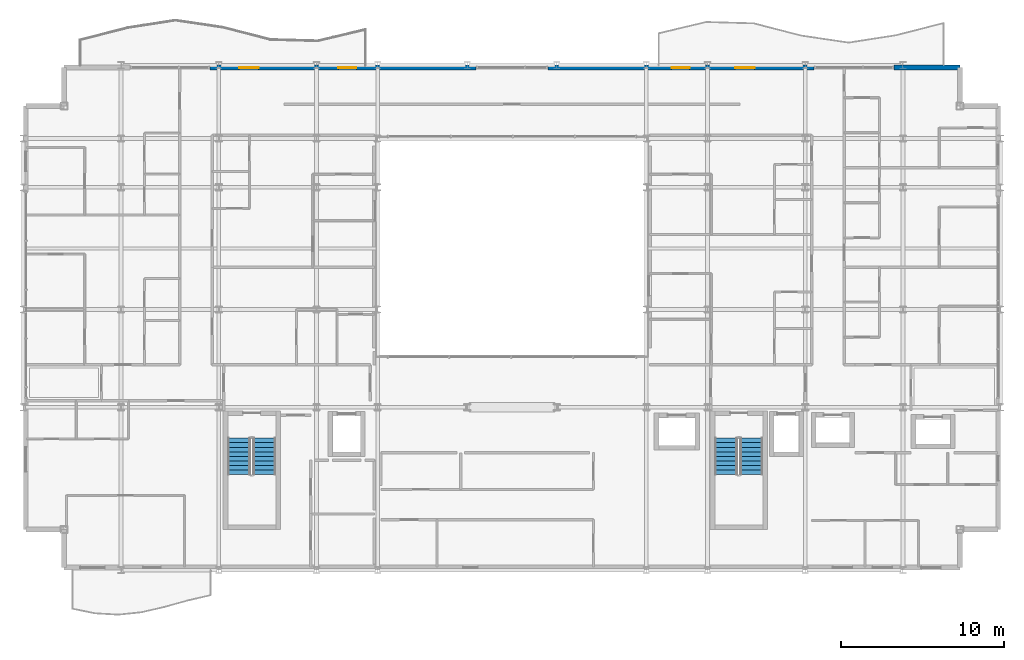
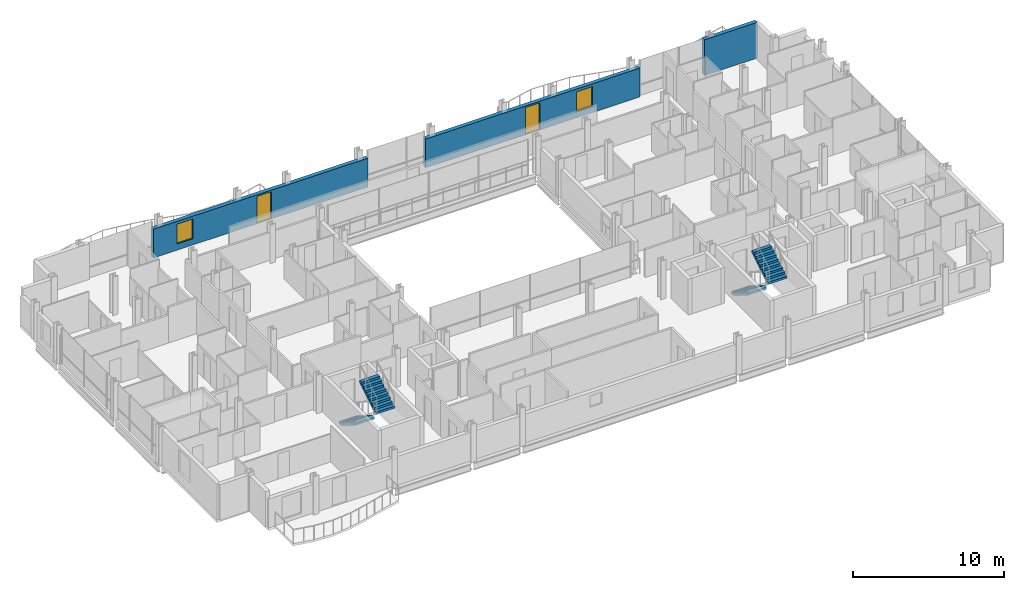
# One storey, part 37 of 40: 4 stair flights, 3 walls, 2 doors, 2 windows, 4 openings, 2 elements without a shape of their own.
"""IFC4 building model written with IfcOpenShell, lengths in metres."""

from ifc_helpers import new_model, si_unit, direction, frame, frame_2d, origin, place, context, subcontext, project, spatial, polyline, rectangle, outline, extrude, material, layer, layer_set, type_object, element, fill, aggregate, save


model = new_model("IFC4")

# Units and contexts
model_context = context("Model", 3, precision=1e-05, world=origin(), true_north=direction((0.0, 1.0)))
body_context = subcontext(model_context, "Body", "Model", "MODEL_VIEW")
ifc_project = project(units=[si_unit("LENGTHUNIT", "METRE"), si_unit("AREAUNIT", "SQUARE_METRE"), si_unit("VOLUMEUNIT", "CUBIC_METRE"), si_unit("PLANEANGLEUNIT", "RADIAN"), si_unit("MASSUNIT", "GRAM", prefix="KILO")], contexts=[model_context])

# Site, building, storey
site_placement = place(None, origin())
site = spatial("IfcSite", under=ifc_project, at=site_placement, CompositionType="ELEMENT")
building_placement = place(site_placement, origin())
building = spatial("IfcBuilding", under=site, at=building_placement, Name="Brevholm Reach", CompositionType="ELEMENT")
storey_placement = place(building_placement, frame((0.0, 0.0, 119.0)))
storey = spatial("IfcBuildingStorey", under=building, at=storey_placement, Name="L35", CompositionType="ELEMENT", Elevation=119.0)

# Wall
ifc_material_1 = material(Name="Concrete C40/50", Category="concrete")
ifc_layer_1 = layer(ifc_material_1, 0.300048828125)
ifc_layer_set_1 = layer_set([ifc_layer_1], Name="Concrete C40/50")
wall_type = type_object("IfcWallType", Name="WAL-EXT-300", PredefinedType="STANDARD", material=ifc_layer_set_1)
wall_1_placement = place(storey_placement, frame((53.449951171875, 30.85009765625, 0.0), z_axis=(0.0, 0.0, 1.0), x_axis=(1.0, 0.0, 0.0)))
element("IfcWall", 1, at=wall_1_placement, inside=storey, type_object=wall_type, Name="L35 Facade Wall WAL-L35-NP-E0", PredefinedType="STANDARD", context=body_context, shape_type="SweptSolid", body=[
    extrude(rectangle(XDim=4.050048828125, YDim=0.300048828125, at=frame_2d((2.02490234375, 0.0))), origin(), (0.0, 0.0, 1.0), 2.8798828125),
])

# Wall, openings, door, window
wall_2_placement = place(storey_placement, frame((11.449951171875, 30.85009765625, 0.0), z_axis=(0.0, 0.0, 1.0), x_axis=(1.0, 0.0, 0.0)))
wall_2 = element("IfcWall", 2, at=wall_2_placement, inside=storey, type_object=wall_type, Name="L35 Facade Wall WAL-L35-NP-WL", PredefinedType="STANDARD", context=body_context, shape_type="SweptSolid", body=[
    extrude(rectangle(XDim=16.35009765625, YDim=0.300048828125, at=frame_2d((8.175048828125, 0.0))), origin(), (0.0, 0.0, 1.0), 2.322021484375),
])
opening_1_placement = place(wall_2_placement, frame((7.89794921875, 0.0, 0.0)))
opening_1 = element("IfcOpeningElement", 3, at=opening_1_placement, cuts=wall_2, Name="Opening BD-01", PredefinedType="OPENING", context=body_context, shape_type="SweptSolid", body=[
    extrude(rectangle(XDim=1.10009765625, YDim=2.199951171875, at=frame_2d((0.550048828125, 1.10009765625))), frame((0.0, 0.159912109375, 0.0), z_axis=(0.0, -1.0, 0.0), x_axis=(1.0, 0.0, 0.0)), (0.0, 0.0, 1.0), 0.320068359375),
])
opening_2_placement = place(wall_2_placement, frame((1.800048828125, 0.0, 0.501953125)))
opening_2 = element("IfcOpeningElement", 4, at=opening_2_placement, cuts=wall_2, Name="Opening WN-08", PredefinedType="OPENING", context=body_context, shape_type="SweptSolid", body=[
    extrude(rectangle(XDim=1.199951171875, YDim=1.60009765625, at=frame_2d((0.60009765625, 0.800048828125))), frame((0.0, 0.159912109375, 0.0), z_axis=(0.0, -1.0, 0.0), x_axis=(1.0, 0.0, 0.0)), (0.0, 0.0, 1.0), 0.320068359375),
])
ifc_material_2 = material(Name="Dark Anodised Aluminium and Triple-Glazed Glass", Category="aluminium")
door_type = type_object("IfcDoorType", Name="DOR-BALC-1100", OperationType="NOTDEFINED", PredefinedType="DOOR", material=ifc_material_2)
door_1_placement = place(opening_1_placement, origin())
door_1 = element("IfcDoor", 5, at=door_1_placement, inside=storey, type_object=door_type, Name="L35 Exterior Door DOR-L35-BL-NW", OperationType="SINGLE_SWING_LEFT", OverallHeight=2.199951171875, OverallWidth=1.10009765625, PredefinedType="DOOR", context=body_context, shape_type="SweptSolid", body=[
    extrude(rectangle(XDim=1.10009765625, YDim=2.199951171875, at=frame_2d((0.550048828125, 1.10009765625))), frame((0.0, 0.02490234375, 0.0), z_axis=(0.0, -1.0, 0.0), x_axis=(1.0, 0.0, 0.0)), (0.0, 0.0, 1.0), 0.050048828125),
])
fill(opening_1, door_1)
ifc_material_3 = material(Name="Dark Anodised Aluminium and Solar-Control IGU Glass", Category="aluminium")
window_type = type_object("IfcWindowType", Name="WIN-RES-1200", PartitioningType="SINGLE_PANEL", PredefinedType="WINDOW", material=ifc_material_3)
window_1_placement = place(opening_2_placement, origin())
window_1 = element("IfcWindow", 6, at=window_1_placement, inside=storey, type_object=window_type, Name="L35 Window WIN-L35-NP-WL1", OverallHeight=1.60009765625, OverallWidth=1.199951171875, PartitioningType="SINGLE_PANEL", PredefinedType="WINDOW", context=body_context, shape_type="SweptSolid", body=[
    extrude(rectangle(XDim=1.199951171875, YDim=1.60009765625, at=frame_2d((0.60009765625, 0.800048828125))), frame((0.0, 0.030029296875, 0.0), z_axis=(0.0, -1.0, 0.0), x_axis=(1.0, 0.0, 0.0)), (0.0, 0.0, 1.0), 0.06005859375),
])
fill(opening_2, window_1)

wall_3_placement = place(storey_placement, frame((32.199951171875, 30.85009765625, 0.0), z_axis=(0.0, 0.0, 1.0), x_axis=(1.0, 0.0, 0.0)))
wall_3 = element("IfcWall", 7, at=wall_3_placement, inside=storey, type_object=wall_type, Name="L35 Facade Wall WAL-L35-NP-ER", PredefinedType="STANDARD", context=body_context, shape_type="SweptSolid", body=[
    extrude(rectangle(XDim=16.35009765625, YDim=0.300048828125, at=frame_2d((8.175048828125, 0.0))), origin(), (0.0, 0.0, 1.0), 2.322021484375),
])
opening_3_placement = place(wall_3_placement, frame((7.60009765625, 0.0, 0.0)))
opening_3 = element("IfcOpeningElement", 8, at=opening_3_placement, cuts=wall_3, Name="Opening BD-01", PredefinedType="OPENING", context=body_context, shape_type="SweptSolid", body=[
    extrude(rectangle(XDim=1.10009765625, YDim=2.199951171875, at=frame_2d((0.550048828125, 1.10009765625))), frame((0.0, 0.159912109375, 0.0), z_axis=(0.0, -1.0, 0.0), x_axis=(1.0, 0.0, 0.0)), (0.0, 0.0, 1.0), 0.320068359375),
])
opening_4_placement = place(wall_3_placement, frame((11.5, 0.0, 0.501953125)))
opening_4 = element("IfcOpeningElement", 9, at=opening_4_placement, cuts=wall_3, Name="Opening WN-08", PredefinedType="OPENING", context=body_context, shape_type="SweptSolid", body=[
    extrude(rectangle(XDim=1.199951171875, YDim=1.60009765625, at=frame_2d((0.60009765625, 0.800048828125))), frame((0.0, 0.159912109375, 0.0), z_axis=(0.0, -1.0, 0.0), x_axis=(1.0, 0.0, 0.0)), (0.0, 0.0, 1.0), 0.320068359375),
])
door_2_placement = place(opening_3_placement, origin())
door_2 = element("IfcDoor", 10, at=door_2_placement, inside=storey, type_object=door_type, Name="L35 Exterior Door DOR-L35-BL-NE", OperationType="SINGLE_SWING_RIGHT", OverallHeight=2.199951171875, OverallWidth=1.10009765625, PredefinedType="DOOR", context=body_context, shape_type="SweptSolid", body=[
    extrude(rectangle(XDim=1.10009765625, YDim=2.199951171875, at=frame_2d((0.550048828125, 1.10009765625))), frame((0.0, 0.02490234375, 0.0), z_axis=(0.0, -1.0, 0.0), x_axis=(1.0, 0.0, 0.0)), (0.0, 0.0, 1.0), 0.050048828125),
])
fill(opening_3, door_2)
window_2_placement = place(opening_4_placement, origin())
window_2 = element("IfcWindow", 11, at=window_2_placement, inside=storey, type_object=window_type, Name="L35 Window WIN-L35-NP-ER1", OverallHeight=1.60009765625, OverallWidth=1.199951171875, PartitioningType="SINGLE_PANEL", PredefinedType="WINDOW", context=body_context, shape_type="SweptSolid", body=[
    extrude(rectangle(XDim=1.199951171875, YDim=1.60009765625, at=frame_2d((0.60009765625, 0.800048828125))), frame((0.0, 0.030029296875, 0.0), z_axis=(0.0, -1.0, 0.0), x_axis=(1.0, 0.0, 0.0)), (0.0, 0.0, 1.0), 0.06005859375),
])
fill(opening_4, window_2)

# Stair, stair flights
ifc_material_4 = material(Name="Precast Concrete C40/50", Category="concrete")
stair_type = type_object("IfcStairType", Name="STR-ESC-1400", PredefinedType="DOUBLE_RETURN_STAIR", material=ifc_material_4)
stair_1_placement = place(storey_placement, origin())
stair_1 = element("IfcStair", 12, at=stair_1_placement, inside=storey, type_object=stair_type, Name="L35 ST-1", PredefinedType="DOUBLE_RETURN_STAIR")
ifc_material_5 = material(Name="Precast Concrete C40/50", Category="concrete")
ifc_layer_2 = layer(ifc_material_5, 0.18505859375)
ifc_layer_set_2 = layer_set([ifc_layer_2], Name="Precast Concrete C40/50")
stair_flight_type = type_object("IfcStairFlightType", Name="STF-PRC-185", PredefinedType="STRAIGHT", material=ifc_layer_set_2)
stair_flight_1_placement = place(storey_placement, frame((13.25, 8.10009765625, 0.0), z_axis=(0.0, 0.0, 1.0), x_axis=(0.0, -1.0, 0.0)))
stair_flight_1 = element("IfcStairFlight", 13, at=stair_flight_1_placement, type_object=stair_flight_type, Name="ST-1 flight 1", NumberOfRisers=9, NumberOfTreads=8, PredefinedType="STRAIGHT", RiserHeight=0.172222222, TreadLength=0.28, context=body_context, shape_type="SweptSolid", body=[
    extrude(outline(polyline([(0.0, 0.0), (0.0, 0.172119140625), (0.280029296875, 0.172119140625), (0.280029296875, 0.344482421875), (0.56005859375, 0.344482421875), (0.56005859375, 0.5166015625), (0.840087890625, 0.5166015625), (0.840087890625, 0.68896484375), (1.1201171875, 0.68896484375), (1.1201171875, 0.861083984375), (1.39990234375, 0.861083984375), (1.39990234375, 1.033447265625), (1.679931640625, 1.033447265625), (1.679931640625, 1.20556640625), (1.9599609375, 1.20556640625), (1.9599609375, 1.377685546875), (2.239990234375, 1.377685546875), (2.239990234375, 1.550048828125), (2.239990234375, 1.201904296875), (0.2861328125, 0.0), (0.0, 0.0)])), frame((0.0, 0.699951171875, 0.0), z_axis=(0.0, -1.0, 0.0), x_axis=(1.0, 0.0, 0.0)), (0.0, 0.0, 1.0), 1.39990234375),
])
stair_flight_2_placement = place(storey_placement, frame((14.800048828125, 5.860107421875, 1.550048828125), z_axis=(0.0, 0.0, 1.0), x_axis=(0.0, 1.0, 0.0)))
stair_flight_2 = element("IfcStairFlight", 14, at=stair_flight_2_placement, type_object=stair_flight_type, Name="ST-1 flight 2", NumberOfRisers=9, NumberOfTreads=8, PredefinedType="STRAIGHT", RiserHeight=0.172222222, TreadLength=0.28, context=body_context, shape_type="SweptSolid", body=[
    extrude(outline(polyline([(0.0, 0.0), (0.0, 0.172119140625), (0.280029296875, 0.172119140625), (0.280029296875, 0.344482421875), (0.56005859375, 0.344482421875), (0.56005859375, 0.5166015625), (0.840087890625, 0.5166015625), (0.840087890625, 0.68896484375), (1.1201171875, 0.68896484375), (1.1201171875, 0.861083984375), (1.39990234375, 0.861083984375), (1.39990234375, 1.033447265625), (1.679931640625, 1.033447265625), (1.679931640625, 1.20556640625), (1.9599609375, 1.20556640625), (1.9599609375, 1.377685546875), (2.239990234375, 1.377685546875), (2.239990234375, 1.550048828125), (2.239990234375, 1.201904296875), (0.2861328125, 0.0), (0.0, 0.0)])), frame((0.0, 0.699951171875, 0.0), z_axis=(0.0, -1.0, 0.0), x_axis=(1.0, 0.0, 0.0)), (0.0, 0.0, 1.0), 1.39990234375),
])
aggregate(stair_1, [stair_flight_1, stair_flight_2])

stair_2_placement = place(storey_placement, origin())
stair_2 = element("IfcStair", 15, at=stair_2_placement, inside=storey, type_object=stair_type, Name="L35 ST-2", PredefinedType="DOUBLE_RETURN_STAIR")
stair_flight_3_placement = place(storey_placement, frame((43.14990234375, 8.10009765625, 0.0), z_axis=(0.0, 0.0, 1.0), x_axis=(0.0, -1.0, 0.0)))
stair_flight_3 = element("IfcStairFlight", 16, at=stair_flight_3_placement, type_object=stair_flight_type, Name="ST-2 flight 1", NumberOfRisers=9, NumberOfTreads=8, PredefinedType="STRAIGHT", RiserHeight=0.172222222, TreadLength=0.28, context=body_context, shape_type="SweptSolid", body=[
    extrude(outline(polyline([(0.0, 0.0), (0.0, 0.172119140625), (0.280029296875, 0.172119140625), (0.280029296875, 0.344482421875), (0.56005859375, 0.344482421875), (0.56005859375, 0.5166015625), (0.840087890625, 0.5166015625), (0.840087890625, 0.68896484375), (1.1201171875, 0.68896484375), (1.1201171875, 0.861083984375), (1.39990234375, 0.861083984375), (1.39990234375, 1.033447265625), (1.679931640625, 1.033447265625), (1.679931640625, 1.20556640625), (1.9599609375, 1.20556640625), (1.9599609375, 1.377685546875), (2.239990234375, 1.377685546875), (2.239990234375, 1.550048828125), (2.239990234375, 1.201904296875), (0.2861328125, 0.0), (0.0, 0.0)])), frame((0.0, 0.699951171875, 0.0), z_axis=(0.0, -1.0, 0.0), x_axis=(1.0, 0.0, 0.0)), (0.0, 0.0, 1.0), 1.39990234375),
])
stair_flight_4_placement = place(storey_placement, frame((44.699951171875, 5.860107421875, 1.550048828125), z_axis=(0.0, 0.0, 1.0), x_axis=(0.0, 1.0, 0.0)))
stair_flight_4 = element("IfcStairFlight", 17, at=stair_flight_4_placement, type_object=stair_flight_type, Name="ST-2 flight 2", NumberOfRisers=9, NumberOfTreads=8, PredefinedType="STRAIGHT", RiserHeight=0.172222222, TreadLength=0.28, context=body_context, shape_type="SweptSolid", body=[
    extrude(outline(polyline([(0.0, 0.0), (0.0, 0.172119140625), (0.280029296875, 0.172119140625), (0.280029296875, 0.344482421875), (0.56005859375, 0.344482421875), (0.56005859375, 0.5166015625), (0.840087890625, 0.5166015625), (0.840087890625, 0.68896484375), (1.1201171875, 0.68896484375), (1.1201171875, 0.861083984375), (1.39990234375, 0.861083984375), (1.39990234375, 1.033447265625), (1.679931640625, 1.033447265625), (1.679931640625, 1.20556640625), (1.9599609375, 1.20556640625), (1.9599609375, 1.377685546875), (2.239990234375, 1.377685546875), (2.239990234375, 1.550048828125), (2.239990234375, 1.201904296875), (0.2861328125, 0.0), (0.0, 0.0)])), frame((0.0, 0.699951171875, 0.0), z_axis=(0.0, -1.0, 0.0), x_axis=(1.0, 0.0, 0.0)), (0.0, 0.0, 1.0), 1.39990234375),
])
aggregate(stair_2, [stair_flight_3, stair_flight_4])

save(model, "model.ifc")
